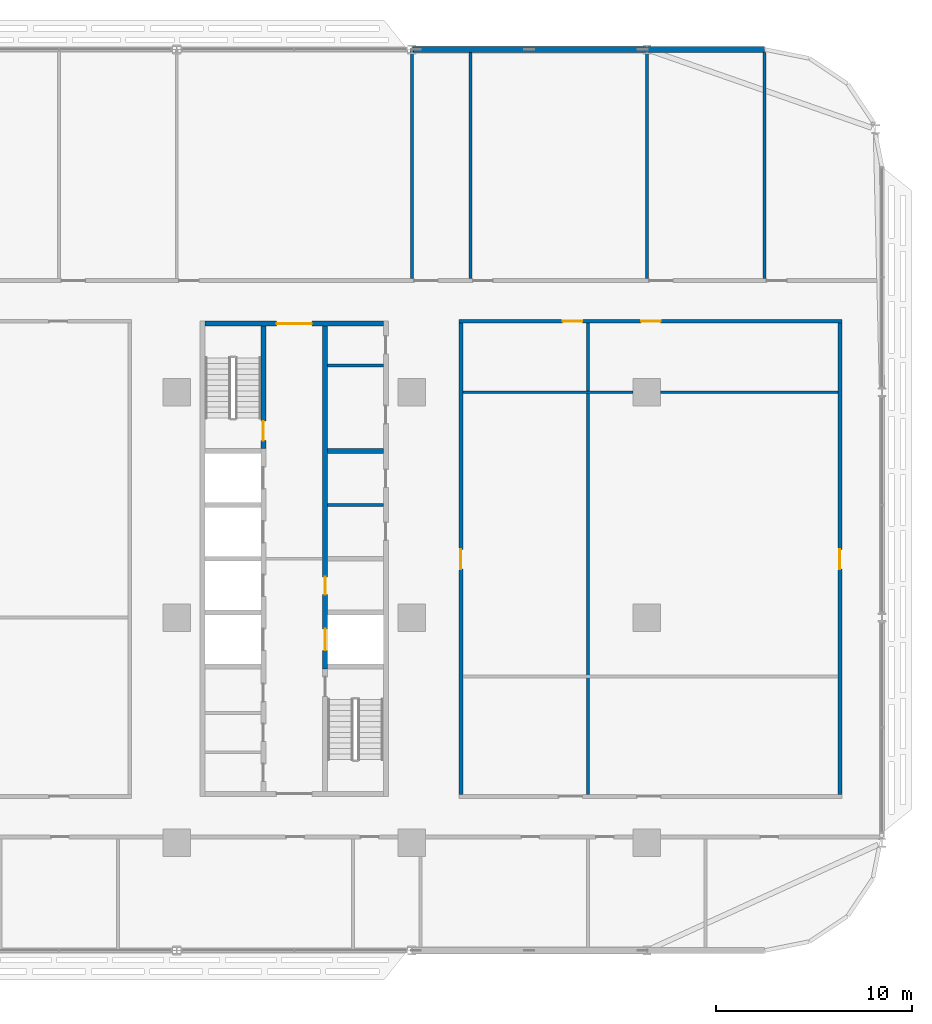
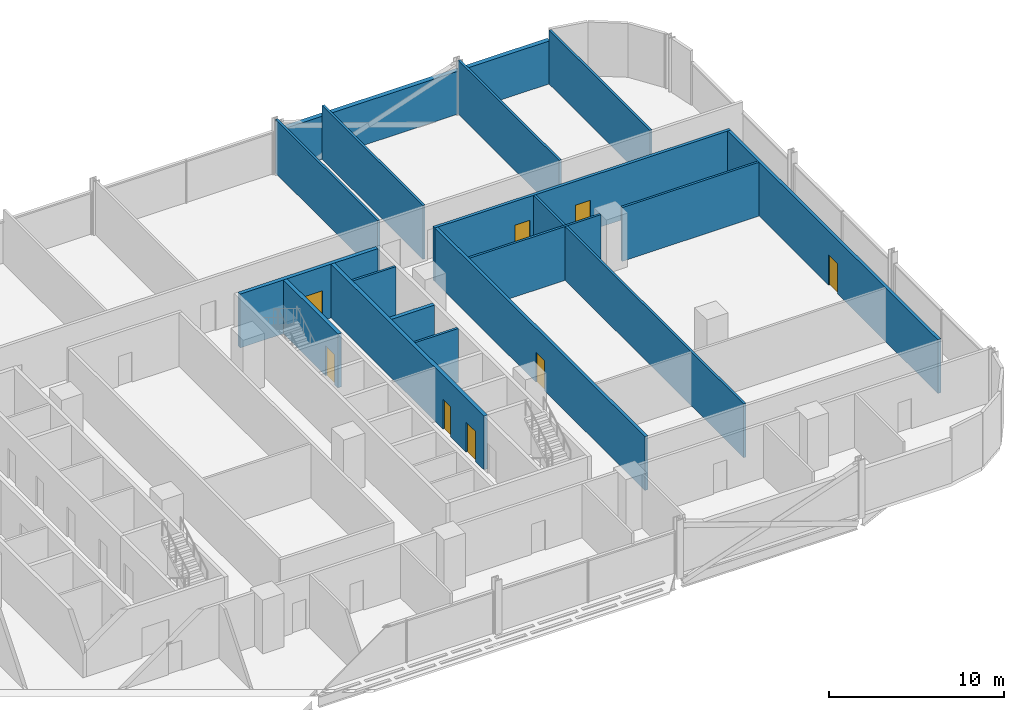
# One storey, part 17 of 29: 18 walls, 8 doors, 8 openings.
"""IFC4 building model written with IfcOpenShell, lengths in metres."""

from ifc_helpers import new_model, si_unit, direction, frame, frame_2d, origin, place, context, subcontext, project, spatial, rectangle, extrude, material, layer, layer_set, type_object, element, fill, save


model = new_model("IFC4")

# Units and contexts
model_context = context("Model", 3, precision=1e-05, world=origin(), true_north=direction((0.0, 1.0)))
body_context = subcontext(model_context, "Body", "Model", "MODEL_VIEW")
ifc_project = project(units=[si_unit("LENGTHUNIT", "METRE"), si_unit("AREAUNIT", "SQUARE_METRE"), si_unit("VOLUMEUNIT", "CUBIC_METRE"), si_unit("PLANEANGLEUNIT", "RADIAN"), si_unit("MASSUNIT", "GRAM", prefix="KILO")], contexts=[model_context])

# Site, building, storey
site_placement = place(None, origin())
site = spatial("IfcSite", under=ifc_project, at=site_placement, CompositionType="ELEMENT")
building_placement = place(site_placement, origin())
building = spatial("IfcBuilding", under=site, at=building_placement, Name="Mahtab Terrace Research Tower", CompositionType="ELEMENT")
storey_placement = place(building_placement, frame((0.0, 0.0, 93.0)))
storey = spatial("IfcBuildingStorey", under=building, at=storey_placement, Name="L21", CompositionType="ELEMENT", Elevation=93.0)

# Walls
ifc_material_1 = material(Name="Gypsum board partition")
ifc_layer_1 = layer(ifc_material_1, 0.14990234375)
ifc_layer_set_1 = layer_set([ifc_layer_1], Name="Core partition 150")
wall_type_1 = type_object("IfcWallType", Name="Core partition 150", PredefinedType="PARTITIONING", material=ifc_layer_set_1)
for number, where, z_axis, x_axis, name in (
    (1, (25.699951171875, 5.75, 0.0), (0.0, 0.0, 1.0), (1.0, 0.0, 0.0), "Core wall C pEL275"),
    (2, (25.699951171875, 12.875, 0.0), (0.0, 0.0, 1.0), (1.0, 0.0, 0.0), "Core wall C pEN988"),
):
    element("IfcWall", number, at=place(storey_placement, frame(where, z_axis=z_axis, x_axis=x_axis)), inside=storey, type_object=wall_type_1, Name=name, PredefinedType="PARTITIONING", context=body_context, shape_type="SweptSolid", body=[
        extrude(rectangle(XDim=2.85009765625, YDim=0.14990234375, at=frame_2d((1.425048828125, 0.0))), origin(), (0.0, 0.0, 1.0), 3.760009765625),
    ])

# Wall, opening, door
ifc_material_2 = material(Name="Concrete C70/85", Category="concrete")
ifc_layer_2 = layer(ifc_material_2, 0.25)
ifc_layer_set_2 = layer_set([ifc_layer_2], Name="Core wall 250")
wall_type_2 = type_object("IfcWallType", Name="Core wall 250", PredefinedType="SOLIDWALL", material=ifc_layer_set_2)
wall_1_placement = place(storey_placement, frame((19.449951171875, 15.0, 0.0), z_axis=(0.0, 0.0, 1.0), x_axis=(1.0, 0.0, 0.0)))
wall_1 = element("IfcWall", 3, at=wall_1_placement, inside=storey, type_object=wall_type_2, Name="Core wall C endN", PredefinedType="SOLIDWALL", context=body_context, shape_type="SweptSolid", body=[
    extrude(rectangle(XDim=9.10009765625, YDim=0.25, at=frame_2d((4.550048828125, 0.0))), origin(), (0.0, 0.0, 1.0), 3.760009765625),
])
opening_1_placement = place(wall_1_placement, frame((3.64990234375, 0.0, 0.0)))
opening_1 = element("IfcOpeningElement", 4, at=opening_1_placement, cuts=wall_1, Name="Opening C-N1", PredefinedType="OPENING", context=body_context, shape_type="SweptSolid", body=[
    extrude(rectangle(XDim=1.800048828125, YDim=2.10009765625, at=frame_2d((0.89990234375, 1.050048828125))), frame((0.0, 0.135009765625, 0.0), z_axis=(0.0, -1.0, 0.0), x_axis=(1.0, 0.0, 0.0)), (0.0, 0.0, 1.0), 0.27001953125),
])
ifc_material_3 = material(Name="Steel fire door", Category="steel")
door_type_1 = type_object("IfcDoorType", Name="Lobby double door 1800x2100 1 HR", OperationType="DOUBLE_DOOR_SINGLE_SWING", PredefinedType="DOOR", material=ifc_material_3)
door_1_placement = place(opening_1_placement, origin())
door_1 = element("IfcDoor", 5, at=door_1_placement, inside=storey, type_object=door_type_1, Name="Core entrance door C N", OperationType="DOUBLE_DOOR_SINGLE_SWING", OverallHeight=2.10009765625, OverallWidth=1.800048828125, PredefinedType="DOOR", context=body_context, shape_type="SweptSolid", body=[
    extrude(rectangle(XDim=1.800048828125, YDim=2.10009765625, at=frame_2d((0.89990234375, 1.050048828125))), frame((0.0, 0.02490234375, 0.0), z_axis=(0.0, -1.0, 0.0), x_axis=(1.0, 0.0, 0.0)), (0.0, 0.0, 1.0), 0.050048828125),
])
fill(opening_1, door_1)

wall_2_placement = place(storey_placement, frame((22.425048828125, 14.875, 0.0), z_axis=(0.0, 0.0, 1.0), x_axis=(0.0, -1.0, 0.0)))
wall_2 = element("IfcWall", 6, at=wall_2_placement, inside=storey, type_object=wall_type_2, Name="Core wall C innerWN", PredefinedType="SOLIDWALL", context=body_context, shape_type="SweptSolid", body=[
    extrude(rectangle(XDim=6.25, YDim=0.25, at=frame_2d((3.125, 0.0))), origin(), (0.0, 0.0, 1.0), 3.760009765625),
])
opening_2_placement = place(wall_2_placement, frame((4.85009765625, 0.0, 0.0)))
opening_2 = element("IfcOpeningElement", 7, at=opening_2_placement, cuts=wall_2, Name="Opening C-ST3", PredefinedType="OPENING", context=body_context, shape_type="SweptSolid", body=[
    extrude(rectangle(XDim=1.0, YDim=2.10009765625, at=frame_2d((0.5, 1.050048828125))), frame((0.0, 0.135009765625, 0.0), z_axis=(0.0, -1.0, 0.0), x_axis=(1.0, 0.0, 0.0)), (0.0, 0.0, 1.0), 0.27001953125),
])
door_type_2 = type_object("IfcDoorType", Name="Stair door 1000x2100 1.5 HR", OperationType="NOTDEFINED", PredefinedType="DOOR", material=ifc_material_3)
door_2_placement = place(opening_2_placement, origin())
door_2 = element("IfcDoor", 8, at=door_2_placement, inside=storey, type_object=door_type_2, Name="Stair door ST3 L21", OperationType="SINGLE_SWING_LEFT", OverallHeight=2.10009765625, OverallWidth=1.0, PredefinedType="DOOR", context=body_context, shape_type="SweptSolid", body=[
    extrude(rectangle(XDim=1.0, YDim=2.10009765625, at=frame_2d((0.5, 1.050048828125))), frame((0.0, 0.02490234375, 0.0), z_axis=(0.0, -1.0, 0.0), x_axis=(1.0, 0.0, 0.0)), (0.0, 0.0, 1.0), 0.050048828125),
])
fill(opening_2, door_2)

# Wall, openings, doors
wall_3_placement = place(storey_placement, frame((25.574951171875, 14.875, 0.0), z_axis=(0.0, 0.0, 1.0), x_axis=(0.0, -1.0, 0.0)))
wall_3 = element("IfcWall", 9, at=wall_3_placement, inside=storey, type_object=wall_type_2, Name="Core wall C innerELN", PredefinedType="SOLIDWALL", context=body_context, shape_type="SweptSolid", body=[
    extrude(rectangle(XDim=17.5, YDim=0.25, at=frame_2d((8.75, 0.0))), origin(), (0.0, 0.0, 1.0), 3.760009765625),
])
opening_3_placement = place(wall_3_placement, frame((15.449951171875, 0.0, 0.0)))
opening_3 = element("IfcOpeningElement", 10, at=opening_3_placement, cuts=wall_3, Name="Opening LD21-L21", PredefinedType="OPENING", context=body_context, shape_type="SweptSolid", body=[
    extrude(rectangle(XDim=1.10009765625, YDim=2.10009765625, at=frame_2d((0.550048828125, 1.050048828125))), frame((0.0, 0.135009765625, 0.0), z_axis=(0.0, -1.0, 0.0), x_axis=(1.0, 0.0, 0.0)), (0.0, 0.0, 1.0), 0.27001953125),
])
opening_4_placement = place(wall_3_placement, frame((12.800048828125, 0.0, 0.0)))
opening_4 = element("IfcOpeningElement", 11, at=opening_4_placement, cuts=wall_3, Name="Opening C-R1", PredefinedType="OPENING", context=body_context, shape_type="SweptSolid", body=[
    extrude(rectangle(XDim=0.89990234375, YDim=2.10009765625, at=frame_2d((0.449951171875, 1.050048828125))), frame((0.0, 0.135009765625, 0.0), z_axis=(0.0, -1.0, 0.0), x_axis=(1.0, 0.0, 0.0)), (0.0, 0.0, 1.0), 0.27001953125),
])
ifc_material_4 = material(Name="Stainless steel AISI 304", Category="steel")
door_type_3 = type_object("IfcDoorType", Name="Landing door 1100x2100", OperationType="DOUBLE_DOOR_SLIDING", PredefinedType="DOOR", material=ifc_material_4)
door_3_placement = place(opening_3_placement, origin())
door_3 = element("IfcDoor", 12, at=door_3_placement, inside=storey, type_object=door_type_3, Name="Landing door SV3 L21", OperationType="DOUBLE_DOOR_SLIDING", OverallHeight=2.10009765625, OverallWidth=1.10009765625, PredefinedType="DOOR", context=body_context, shape_type="SweptSolid", body=[
    extrude(rectangle(XDim=1.10009765625, YDim=2.10009765625, at=frame_2d((0.550048828125, 1.050048828125))), frame((0.0, 0.02490234375, 0.0), z_axis=(0.0, -1.0, 0.0), x_axis=(1.0, 0.0, 0.0)), (0.0, 0.0, 1.0), 0.050048828125),
])
fill(opening_3, door_3)
door_type_4 = type_object("IfcDoorType", Name="Room door 900x2100 1 HR", OperationType="NOTDEFINED", PredefinedType="DOOR", material=ifc_material_3)
door_4_placement = place(opening_4_placement, origin())
door_4 = element("IfcDoor", 13, at=door_4_placement, inside=storey, type_object=door_type_4, Name="Plant room door", OperationType="SINGLE_SWING_LEFT", OverallHeight=2.10009765625, OverallWidth=0.89990234375, PredefinedType="DOOR", context=body_context, shape_type="SweptSolid", body=[
    extrude(rectangle(XDim=0.89990234375, YDim=2.10009765625, at=frame_2d((0.449951171875, 1.050048828125))), frame((0.0, 0.02490234375, 0.0), z_axis=(0.0, -1.0, 0.0), x_axis=(1.0, 0.0, 0.0)), (0.0, 0.0, 1.0), 0.050048828125),
])
fill(opening_4, door_4)

# Walls
wall_4_placement = place(storey_placement, frame((25.699951171875, 8.5, 0.0), z_axis=(0.0, 0.0, 1.0), x_axis=(1.0, 0.0, 0.0)))
element("IfcWall", 14, at=wall_4_placement, inside=storey, type_object=wall_type_2, Name="Core wall C divE4", PredefinedType="SOLIDWALL", context=body_context, shape_type="SweptSolid", body=[
    extrude(rectangle(XDim=2.85009765625, YDim=0.25, at=frame_2d((1.425048828125, 0.0))), origin(), (0.0, 0.0, 1.0), 3.760009765625),
])
ifc_material_5 = material(Name="Black aluminium cladding panel", Category="aluminium")
ifc_layer_3 = layer(ifc_material_5, 0.300048828125)
ifc_layer_set_3 = layer_set([ifc_layer_3], Name="Opaque facade wall 300")
wall_type_3 = type_object("IfcWallType", Name="Opaque facade wall 300", PredefinedType="NOTDEFINED", material=ifc_layer_set_3)
wall_5_placement = place(storey_placement, frame((48.0, 29.0, 0.0), z_axis=(0.0, 0.0, 1.0), x_axis=(-1.0, 0.0, 0.0)))
element("IfcWall", 15, at=wall_5_placement, inside=storey, type_object=wall_type_3, Name="Opaque facade wall L21 N3", PredefinedType="NOTDEFINED", context=body_context, shape_type="SweptSolid", body=[
    extrude(rectangle(XDim=5.97900390625, YDim=0.300048828125, at=frame_2d((2.989501953125, 0.0))), origin(), (0.0, 0.0, 1.0), 3.003173828125),
])
wall_6_placement = place(storey_placement, frame((41.97900390625, 29.0, 0.0), z_axis=(0.0, 0.0, 1.0), x_axis=(-1.0, 0.0, 0.0)))
element("IfcWall", 16, at=wall_6_placement, inside=storey, type_object=wall_type_3, Name="Opaque facade wall L21 N4", PredefinedType="NOTDEFINED", context=body_context, shape_type="SweptSolid", body=[
    extrude(rectangle(XDim=11.9580078125, YDim=0.300048828125, at=frame_2d((5.97900390625, 0.0))), origin(), (0.0, 0.0, 1.0), 3.003173828125),
])

# Wall, openings, doors
ifc_material_6 = material(Name="Gypsum board corridor wall on steel studs", Category="steel")
ifc_layer_4 = layer(ifc_material_6, 0.199951171875)
ifc_layer_set_4 = layer_set([ifc_layer_4], Name="WALL CORRIDOR 200")
wall_type_4 = type_object("IfcWallType", Name="WALL CORRIDOR 200", PredefinedType="PARTITIONING", material=ifc_layer_set_4)
wall_7_placement = place(storey_placement, frame((32.39990234375, 15.125, 0.0), z_axis=(0.0, 0.0, 1.0), x_axis=(1.0, 0.0, 0.0)))
wall_7 = element("IfcWall", 17, at=wall_7_placement, inside=storey, type_object=wall_type_4, Name="L21-W023", PredefinedType="PARTITIONING", context=body_context, shape_type="SweptSolid", body=[
    extrude(rectangle(XDim=19.550048828125, YDim=0.199951171875, at=frame_2d((9.77490234375, 0.0))), origin(), (0.0, 0.0, 1.0), 3.760009765625),
])
opening_5_placement = place(wall_7_placement, frame((5.300048828125, 0.0, 0.0)))
opening_5 = element("IfcOpeningElement", 18, at=opening_5_placement, cuts=wall_7, Name="Opening L21-125", PredefinedType="OPENING", context=body_context, shape_type="SweptSolid", body=[
    extrude(rectangle(XDim=1.0, YDim=2.10009765625, at=frame_2d((0.5, 1.050048828125))), frame((0.0, 0.10986328125, 0.0), z_axis=(0.0, -1.0, 0.0), x_axis=(1.0, 0.0, 0.0)), (0.0, 0.0, 1.0), 0.219970703125),
])
opening_6_placement = place(wall_7_placement, frame((9.300048828125, 0.0, 0.0)))
opening_6 = element("IfcOpeningElement", 19, at=opening_6_placement, cuts=wall_7, Name="Opening L21-126", PredefinedType="OPENING", context=body_context, shape_type="SweptSolid", body=[
    extrude(rectangle(XDim=1.0, YDim=2.10009765625, at=frame_2d((0.5, 1.050048828125))), frame((0.0, 0.10986328125, 0.0), z_axis=(0.0, -1.0, 0.0), x_axis=(1.0, 0.0, 0.0)), (0.0, 0.0, 1.0), 0.219970703125),
])
ifc_material_7 = material(Name="Timber door leaf in steel frame", Category="steel")
door_type_5 = type_object("IfcDoorType", Name="DOOR 1000X2100 FD30S", OperationType="SINGLE_SWING_LEFT", PredefinedType="DOOR", material=ifc_material_7)
door_5_placement = place(opening_5_placement, origin())
door_5 = element("IfcDoor", 20, at=door_5_placement, inside=storey, type_object=door_type_5, Name="Door L21-125", OperationType="SINGLE_SWING_RIGHT", OverallHeight=2.10009765625, OverallWidth=1.0, PredefinedType="DOOR", context=body_context, shape_type="SweptSolid", body=[
    extrude(rectangle(XDim=1.0, YDim=2.10009765625, at=frame_2d((0.5, 1.050048828125))), frame((0.0, 0.02490234375, 0.0), z_axis=(0.0, -1.0, 0.0), x_axis=(1.0, 0.0, 0.0)), (0.0, 0.0, 1.0), 0.050048828125),
])
fill(opening_5, door_5)
door_6_placement = place(opening_6_placement, origin())
door_6 = element("IfcDoor", 21, at=door_6_placement, inside=storey, type_object=door_type_5, Name="Door L21-126", OperationType="SINGLE_SWING_LEFT", OverallHeight=2.10009765625, OverallWidth=1.0, PredefinedType="DOOR", context=body_context, shape_type="SweptSolid", body=[
    extrude(rectangle(XDim=1.0, YDim=2.10009765625, at=frame_2d((0.5, 1.050048828125))), frame((0.0, 0.02490234375, 0.0), z_axis=(0.0, -1.0, 0.0), x_axis=(1.0, 0.0, 0.0)), (0.0, 0.0, 1.0), 0.050048828125),
])
fill(opening_6, door_6)

# Wall, opening, door
wall_8_placement = place(storey_placement, frame((32.5, -9.02490234375, 0.0), z_axis=(0.0, 0.0, 1.0), x_axis=(0.0, 1.0, 0.0)))
wall_8 = element("IfcWall", 22, at=wall_8_placement, inside=storey, type_object=wall_type_4, Name="L21-W050", PredefinedType="PARTITIONING", context=body_context, shape_type="SweptSolid", body=[
    extrude(rectangle(XDim=24.0498046875, YDim=0.199951171875, at=frame_2d((12.02490234375, 0.0))), origin(), (0.0, 0.0, 1.0), 3.760009765625),
])
opening_7_placement = place(wall_8_placement, frame((11.5, 0.0, 0.0)))
opening_7 = element("IfcOpeningElement", 23, at=opening_7_placement, cuts=wall_8, Name="Opening L21-120", PredefinedType="OPENING", context=body_context, shape_type="SweptSolid", body=[
    extrude(rectangle(XDim=1.0, YDim=2.10009765625, at=frame_2d((0.5, 1.050048828125))), frame((0.0, 0.10986328125, 0.0), z_axis=(0.0, -1.0, 0.0), x_axis=(1.0, 0.0, 0.0)), (0.0, 0.0, 1.0), 0.219970703125),
])
door_7_placement = place(opening_7_placement, origin())
door_7 = element("IfcDoor", 24, at=door_7_placement, inside=storey, type_object=door_type_5, Name="Door L21-120", OperationType="SINGLE_SWING_RIGHT", OverallHeight=2.10009765625, OverallWidth=1.0, PredefinedType="DOOR", context=body_context, shape_type="SweptSolid", body=[
    extrude(rectangle(XDim=1.0, YDim=2.10009765625, at=frame_2d((0.5, 1.050048828125))), frame((0.0, 0.02490234375, 0.0), z_axis=(0.0, -1.0, 0.0), x_axis=(1.0, 0.0, 0.0)), (0.0, 0.0, 1.0), 0.050048828125),
])
fill(opening_7, door_7)

wall_9_placement = place(storey_placement, frame((51.85009765625, -9.02490234375, 0.0), z_axis=(0.0, 0.0, 1.0), x_axis=(0.0, 1.0, 0.0)))
wall_9 = element("IfcWall", 25, at=wall_9_placement, inside=storey, type_object=wall_type_4, Name="L21-W057", PredefinedType="PARTITIONING", context=body_context, shape_type="SweptSolid", body=[
    extrude(rectangle(XDim=24.0498046875, YDim=0.199951171875, at=frame_2d((12.02490234375, 0.0))), origin(), (0.0, 0.0, 1.0), 3.760009765625),
])
opening_8_placement = place(wall_9_placement, frame((11.5, 0.0, 0.0)))
opening_8 = element("IfcOpeningElement", 26, at=opening_8_placement, cuts=wall_9, Name="Opening L21-121", PredefinedType="OPENING", context=body_context, shape_type="SweptSolid", body=[
    extrude(rectangle(XDim=1.0, YDim=2.10009765625, at=frame_2d((0.5, 1.050048828125))), frame((0.0, 0.10986328125, 0.0), z_axis=(0.0, -1.0, 0.0), x_axis=(1.0, 0.0, 0.0)), (0.0, 0.0, 1.0), 0.219970703125),
])
door_8_placement = place(opening_8_placement, origin())
door_8 = element("IfcDoor", 27, at=door_8_placement, inside=storey, type_object=door_type_5, Name="Door L21-121", OperationType="SINGLE_SWING_LEFT", OverallHeight=2.10009765625, OverallWidth=1.0, PredefinedType="DOOR", context=body_context, shape_type="SweptSolid", body=[
    extrude(rectangle(XDim=1.0, YDim=2.10009765625, at=frame_2d((0.5, 1.050048828125))), frame((0.0, 0.02490234375, 0.0), z_axis=(0.0, -1.0, 0.0), x_axis=(1.0, 0.0, 0.0)), (0.0, 0.0, 1.0), 0.050048828125),
])
fill(opening_8, door_8)

# Walls
ifc_material_8 = material(Name="Gypsum board partition on steel studs", Category="steel")
ifc_layer_5 = layer(ifc_material_8, 0.14990234375)
ifc_layer_set_5 = layer_set([ifc_layer_5], Name="WALL PARTITION 150")
wall_type_5 = type_object("IfcWallType", Name="WALL PARTITION 150", PredefinedType="PARTITIONING", material=ifc_layer_set_5)
wall_10_placement = place(storey_placement, frame((32.60009765625, 11.5, 0.0), z_axis=(0.0, 0.0, 1.0), x_axis=(1.0, 0.0, 0.0)))
element("IfcWall", 28, at=wall_10_placement, inside=storey, type_object=wall_type_5, Name="L21-W018", PredefinedType="PARTITIONING", context=body_context, shape_type="SweptSolid", body=[
    extrude(rectangle(XDim=8.699951171875, YDim=0.14990234375, at=frame_2d((4.35009765625, 0.0))), origin(), (0.0, 0.0, 1.0), 3.760009765625),
])
wall_11_placement = place(storey_placement, frame((42.699951171875, 11.5, 0.0), z_axis=(0.0, 0.0, 1.0), x_axis=(1.0, 0.0, 0.0)))
element("IfcWall", 29, at=wall_11_placement, inside=storey, type_object=wall_type_5, Name="L21-W019", PredefinedType="PARTITIONING", context=body_context, shape_type="SweptSolid", body=[
    extrude(rectangle(XDim=9.050048828125, YDim=0.14990234375, at=frame_2d((4.52490234375, 0.0))), origin(), (0.0, 0.0, 1.0), 3.760009765625),
])
wall_12_placement = place(storey_placement, frame((30.0, 17.300048828125, 0.0), z_axis=(0.0, 0.0, 1.0), x_axis=(0.0, 1.0, 0.0)))
element("IfcWall", 30, at=wall_12_placement, inside=storey, type_object=wall_type_5, Name="L21-W048", PredefinedType="PARTITIONING", context=body_context, shape_type="SweptSolid", body=[
    extrude(rectangle(XDim=11.675048828125, YDim=0.14990234375, at=frame_2d((5.83740234375, 0.0))), origin(), (0.0, 0.0, 1.0), 3.760009765625),
])
wall_13_placement = place(storey_placement, frame((33.0, 17.300048828125, 0.0), z_axis=(0.0, 0.0, 1.0), x_axis=(0.0, 1.0, 0.0)))
element("IfcWall", 31, at=wall_13_placement, inside=storey, type_object=wall_type_5, Name="L21-W051", PredefinedType="PARTITIONING", context=body_context, shape_type="SweptSolid", body=[
    extrude(rectangle(XDim=11.550048828125, YDim=0.14990234375, at=frame_2d((5.77490234375, 0.0))), origin(), (0.0, 0.0, 1.0), 3.760009765625),
])
wall_14_placement = place(storey_placement, frame((39.0, -9.02490234375, 0.0), z_axis=(0.0, 0.0, 1.0), x_axis=(0.0, 1.0, 0.0)))
element("IfcWall", 32, at=wall_14_placement, inside=storey, type_object=wall_type_5, Name="L21-W053", PredefinedType="PARTITIONING", context=body_context, shape_type="SweptSolid", body=[
    extrude(rectangle(XDim=24.0498046875, YDim=0.14990234375, at=frame_2d((12.02490234375, 0.0))), origin(), (0.0, 0.0, 1.0), 3.760009765625),
])
wall_15_placement = place(storey_placement, frame((42.0, 17.300048828125, 0.0), z_axis=(0.0, 0.0, 1.0), x_axis=(0.0, 1.0, 0.0)))
element("IfcWall", 33, at=wall_15_placement, inside=storey, type_object=wall_type_5, Name="L21-W054", PredefinedType="PARTITIONING", context=body_context, shape_type="SweptSolid", body=[
    extrude(rectangle(XDim=11.550048828125, YDim=0.14990234375, at=frame_2d((5.77490234375, 0.0))), origin(), (0.0, 0.0, 1.0), 3.760009765625),
])
wall_16_placement = place(storey_placement, frame((48.0, 17.300048828125, 0.0), z_axis=(0.0, 0.0, 1.0), x_axis=(0.0, 1.0, 0.0)))
element("IfcWall", 34, at=wall_16_placement, inside=storey, type_object=wall_type_5, Name="L21-W056", PredefinedType="PARTITIONING", context=body_context, shape_type="SweptSolid", body=[
    extrude(rectangle(XDim=11.547119140625, YDim=0.14990234375, at=frame_2d((5.7734375, 0.0))), origin(), (0.0, 0.0, 1.0), 3.760009765625),
])

save(model, "model.ifc")
